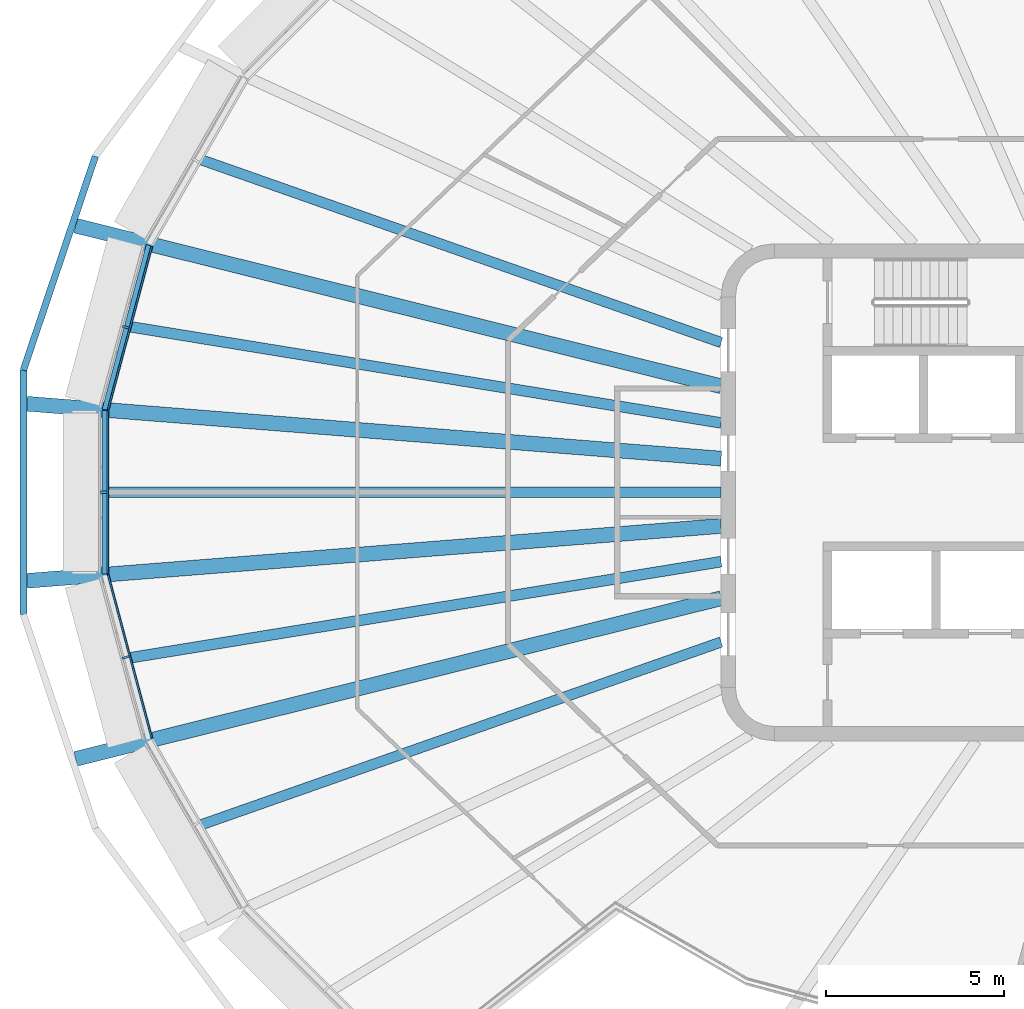
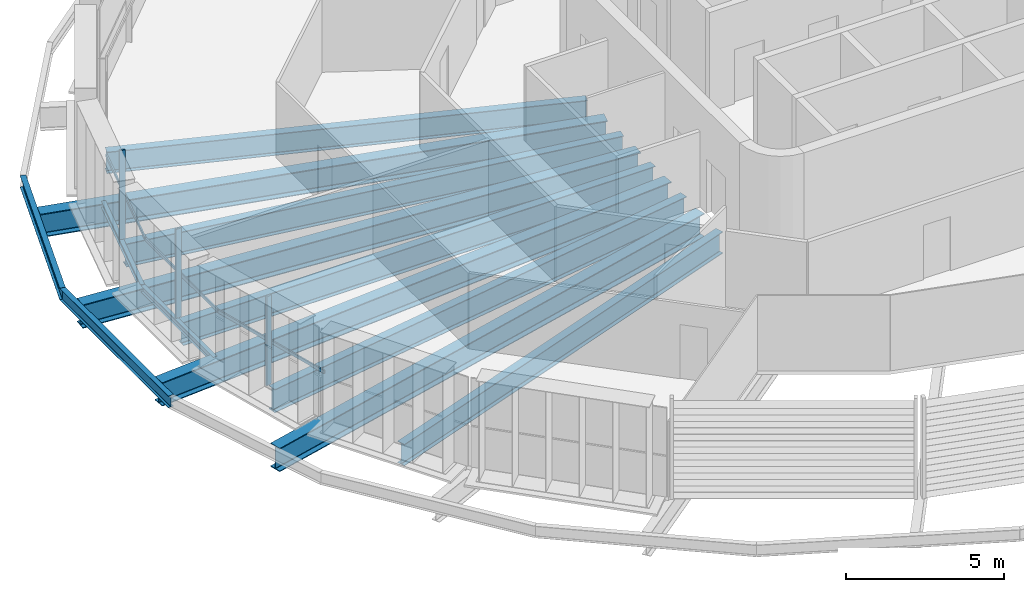
# One storey, part 3 of 19: 13 beams, 6 members, 3 elements without a shape of their own.
"""IFC4 building model written with IfcOpenShell, lengths in metres."""

from ifc_helpers import new_model, si_unit, direction, frame, origin, origin_2d, place, context, subcontext, project, spatial, rectangle, i_section, extrude, material, layer, layer_set, material_profile, profile_set, type_object, element, aggregate, save


model = new_model("IFC4")

# Units and contexts
model_context = context("Model", 3, precision=1e-05, world=origin(), true_north=direction((0.0, 1.0)))
body_context = subcontext(model_context, "Body", "Model", "MODEL_VIEW")
ifc_project = project(units=[si_unit("LENGTHUNIT", "METRE"), si_unit("AREAUNIT", "SQUARE_METRE"), si_unit("VOLUMEUNIT", "CUBIC_METRE"), si_unit("PLANEANGLEUNIT", "RADIAN"), si_unit("MASSUNIT", "GRAM", prefix="KILO")], contexts=[model_context])

# Site, building, storey
site_placement = place(None, origin())
site = spatial("IfcSite", under=ifc_project, at=site_placement, CompositionType="ELEMENT")
building_placement = place(site_placement, origin())
building = spatial("IfcBuilding", under=site, at=building_placement, Name="Sahrelin Media Tower", CompositionType="ELEMENT")
storey_placement = place(building_placement, frame((0.0, 0.0, 275.0)))
storey = spatial("IfcBuildingStorey", under=building, at=storey_placement, Name="L60", CompositionType="ELEMENT", Elevation=275.0)

# Beams
ifc_material_1 = material(Name="Steel S355", Category="steel")
ifc_material_profile_1 = material_profile(ifc_material_1, i_section(OverallWidth=0.14599609375, OverallDepth=0.25146484375, WebThickness=0.006103515625, FlangeThickness=0.008544921875, FilletRadius=0.007568359375, at=origin_2d()), Name="UB 254x146x31")
ifc_profile_set_1 = profile_set([ifc_material_profile_1], Name="Steel S355")
beam_type_1 = type_object("IfcBeamType", Name="Edge beam EB1", PredefinedType="BEAM", material=ifc_profile_set_1)
beam_1_placement = place(storey_placement, frame((-29.364013671875, -2.298583984375, -0.275634765625), z_axis=(0.0, 1.0, 0.0), x_axis=(-1.0, 0.0, 0.0)))
element("IfcBeam", 1, at=beam_1_placement, inside=storey, type_object=beam_type_1, Name="Edge beam L60-09", PredefinedType="BEAM", context=body_context, shape_type="SweptSolid", body=[
    extrude(i_section(OverallWidth=0.14599609375, OverallDepth=0.25146484375, WebThickness=0.006103515625, FlangeThickness=0.008544921875, FilletRadius=0.007568359375, at=origin_2d()), origin(), (0.0, 0.0, 1.0), 4.59716796875),
])
beam_2_placement = place(storey_placement, frame((-29.360107421875, 2.327392578125, -0.275634765625), z_axis=(0.258809906332, 0.965928274969, 0.0), x_axis=(-0.965928274969, 0.258809906332, 0.0)))
element("IfcBeam", 2, at=beam_2_placement, inside=storey, type_object=beam_type_1, Name="Edge beam L60-10", PredefinedType="BEAM", context=body_context, shape_type="SweptSolid", body=[
    extrude(i_section(OverallWidth=0.14599609375, OverallDepth=0.25146484375, WebThickness=0.006103515625, FlangeThickness=0.008544921875, FilletRadius=0.007568359375, at=origin_2d()), origin(), (0.0, 0.0, 1.0), 4.7939453125),
])

# Curtain wall, member
ifc_material_2 = material(Name="Champagne anodised aluminium 6063-T6", Category="aluminium")
ifc_layer = layer(ifc_material_2, 0.14990234375)
ifc_layer_set = layer_set([ifc_layer], Name="Tower ribbon curtain wall")
curtain_wall_type = type_object("IfcCurtainWallType", Name="Tower ribbon curtain wall", PredefinedType="NOTDEFINED", material=ifc_layer_set)
curtain_wall_1_placement = place(storey_placement, frame((-28.884765625, 4.681396484375, 0.0), z_axis=(0.0, 0.0, 1.0), x_axis=(1.0, 0.0, 0.0)))
curtain_wall_1 = element("IfcCurtainWall", 3, at=curtain_wall_1_placement, inside=storey, type_object=curtain_wall_type, Name="L60:CW:L60-11", PredefinedType="NOTDEFINED")
ifc_material_profile_2 = material_profile(ifc_material_2, rectangle(XDim=0.06005859375, YDim=0.199951171875, at=origin_2d()), Name="Mullion 60x200")
ifc_profile_set_2 = profile_set([ifc_material_profile_2], Name="Champagne anodised aluminium 6063-T6")
member_type_1 = type_object("IfcMemberType", Name="Mullion 60x200 CW1C", PredefinedType="MULLION", material=ifc_profile_set_2)
member_1_placement = place(storey_placement, frame((-28.768798828125, 4.650390625, 0.0), z_axis=(0.0, 0.0, 1.0), x_axis=(-0.258813987523, -0.965927181449, 0.0)))
member_1 = element("IfcMember", 4, at=member_1_placement, type_object=member_type_1, Name="L60:CWM:L60-11", PredefinedType="MULLION", context=body_context, shape_type="SweptSolid", body=[
    extrude(rectangle(XDim=0.06005859375, YDim=0.199951171875, at=origin_2d()), origin(), (0.0, 0.0, 1.0), 3.448486328125),
])

curtain_wall_2_placement = place(storey_placement, frame((-29.513916015625, 0.0, 0.0), z_axis=(0.0, 0.0, 1.0), x_axis=(1.0, 0.0, 0.0)))
curtain_wall_2 = element("IfcCurtainWall", 5, at=curtain_wall_2_placement, inside=storey, type_object=curtain_wall_type, Name="L60:CW:L60-12", PredefinedType="NOTDEFINED")
member_2_placement = place(storey_placement, frame((-29.39404296875, 0.0, 0.0), z_axis=(0.0, 0.0, 1.0), x_axis=(0.0, -1.0, 0.0)))
member_2 = element("IfcMember", 6, at=member_2_placement, type_object=member_type_1, Name="L60:CWM:L60-12", PredefinedType="MULLION", context=body_context, shape_type="SweptSolid", body=[
    extrude(rectangle(XDim=0.06005859375, YDim=0.199951171875, at=origin_2d()), origin(), (0.0, 0.0, 1.0), 3.448486328125),
])

curtain_wall_3_placement = place(storey_placement, frame((-28.884765625, -4.681396484375, 0.0), z_axis=(0.0, 0.0, 1.0), x_axis=(1.0, 0.0, 0.0)))
curtain_wall_3 = element("IfcCurtainWall", 7, at=curtain_wall_3_placement, inside=storey, type_object=curtain_wall_type, Name="L60:CW:L60-13", PredefinedType="NOTDEFINED")
member_3_placement = place(storey_placement, frame((-28.768798828125, -4.650390625, 0.0), z_axis=(0.0, 0.0, 1.0), x_axis=(0.258813987523, -0.965927181449, 0.0)))
member_3 = element("IfcMember", 8, at=member_3_placement, type_object=member_type_1, Name="L60:CWM:L60-13", PredefinedType="MULLION", context=body_context, shape_type="SweptSolid", body=[
    extrude(rectangle(XDim=0.06005859375, YDim=0.199951171875, at=origin_2d()), origin(), (0.0, 0.0, 1.0), 3.448486328125),
])

# Beams
ifc_material_profile_3 = material_profile(ifc_material_1, i_section(OverallWidth=0.41845703125, OverallDepth=0.911865234375, WebThickness=0.019287109375, FlangeThickness=0.031982421875, FilletRadius=0.024169921875, at=origin_2d()), Name="UB 914x419x343")
ifc_profile_set_3 = profile_set([ifc_material_profile_3], Name="Steel S355")
beam_type_2 = type_object("IfcBeamType", Name="Radial primary beam PB12", PredefinedType="BEAM", material=ifc_profile_set_3)
beam_3_placement = place(storey_placement, frame((-12.0, 2.985595703125, -0.60595703125), z_axis=(-0.970415551073, 0.241440796545, 0.0), x_axis=(-0.241440796545, -0.970415551073, 0.0)))
element("IfcBeam", 9, at=beam_3_placement, inside=storey, type_object=beam_type_2, Name="Radial beam L60-11", PredefinedType="BEAM", context=body_context, shape_type="SweptSolid", body=[
    extrude(i_section(OverallWidth=0.41845703125, OverallDepth=0.911865234375, WebThickness=0.019287109375, FlangeThickness=0.031982421875, FilletRadius=0.024169921875, at=origin_2d()), origin(), (0.0, 0.0, 1.0), 18.734130859375),
])
for number, where, z_axis, x_axis, name in (
    (10, (-12.0, 0.948486328125, -0.60595703125), (-0.996889791436, 0.078808271962, 0.0), (-0.078808271962, -0.996889791436, 0.0), "Radial beam L60-12"),
    (11, (-12.0, -0.948486328125, -0.60595703125), (-0.996889791436, -0.078808271962, 0.0), (0.078808271962, -0.996889791436, 0.0), "Radial beam L60-13"),
):
    element("IfcBeam", number, at=place(storey_placement, frame(where, z_axis=z_axis, x_axis=x_axis)), inside=storey, type_object=beam_type_2, Name=name, PredefinedType="BEAM", context=body_context, shape_type="SweptSolid", body=[
        extrude(i_section(OverallWidth=0.41845703125, OverallDepth=0.911865234375, WebThickness=0.019287109375, FlangeThickness=0.031982421875, FilletRadius=0.024169921875, at=origin_2d()), origin(), (0.0, 0.0, 1.0), 19.615966796875),
    ])
beam_4_placement = place(storey_placement, frame((-12.0, -2.985595703125, -0.60595703125), z_axis=(-0.970415551073, -0.241440796545, 0.0), x_axis=(0.241440796545, -0.970415551073, 0.0)))
element("IfcBeam", 12, at=beam_4_placement, inside=storey, type_object=beam_type_2, Name="Radial beam L60-14", PredefinedType="BEAM", context=body_context, shape_type="SweptSolid", body=[
    extrude(i_section(OverallWidth=0.41845703125, OverallDepth=0.911865234375, WebThickness=0.019287109375, FlangeThickness=0.031982421875, FilletRadius=0.024169921875, at=origin_2d()), origin(), (0.0, 0.0, 1.0), 18.734130859375),
])
ifc_material_profile_4 = material_profile(ifc_material_1, i_section(OverallWidth=0.291748046875, OverallDepth=0.8349609375, WebThickness=0.013916015625, FlangeThickness=0.018798828125, FilletRadius=0.017822265625, at=origin_2d()), Name="UB 838x292x176")
ifc_profile_set_4 = profile_set([ifc_material_profile_4], Name="Steel S355")
beam_type_3 = type_object("IfcBeamType", Name="Radial secondary beam SB10", PredefinedType="BEAM", material=ifc_profile_set_4)
for number, where, z_axis, x_axis, name in (
    (13, (-12.0, 4.218017578125, -0.5673828125), (-0.94341797598, 0.331605974914, 0.0), (-0.331605974914, -0.94341797598, 0.0), "Secondary beam L60-10"),
    (14, (-12.0, -4.218017578125, -0.5673828125), (-0.94341797598, -0.331605974914, 0.0), (0.331605974914, -0.94341797598, 0.0), "Secondary beam L60-14"),
):
    element("IfcBeam", number, at=place(storey_placement, frame(where, z_axis=z_axis, x_axis=x_axis)), inside=storey, type_object=beam_type_3, Name=name, PredefinedType="BEAM", context=body_context, shape_type="SweptSolid", body=[
        extrude(i_section(OverallWidth=0.291748046875, OverallDepth=0.8349609375, WebThickness=0.013916015625, FlangeThickness=0.018798828125, FilletRadius=0.017822265625, at=origin_2d()), origin(), (0.0, 0.0, 1.0), 15.517578125),
    ])
ifc_material_profile_5 = material_profile(ifc_material_1, i_section(OverallWidth=0.30322265625, OverallDepth=0.903076171875, WebThickness=0.01513671875, FlangeThickness=0.020263671875, FilletRadius=0.01904296875, at=origin_2d()), Name="UB 914x305x201")
ifc_profile_set_5 = profile_set([ifc_material_profile_5], Name="Steel S355")
beam_type_4 = type_object("IfcBeamType", Name="Radial secondary beam SB11", PredefinedType="BEAM", material=ifc_profile_set_5)
beam_5_placement = place(storey_placement, frame((-12.0, 1.953369140625, -0.6015625), z_axis=(-0.987008496952, 0.160668064481, 0.0), x_axis=(-0.160668064481, -0.987008496952, 0.0)))
element("IfcBeam", 15, at=beam_5_placement, inside=storey, type_object=beam_type_4, Name="Secondary beam L60-11", PredefinedType="BEAM", context=body_context, shape_type="SweptSolid", body=[
    extrude(i_section(OverallWidth=0.30322265625, OverallDepth=0.903076171875, WebThickness=0.01513671875, FlangeThickness=0.020263671875, FilletRadius=0.01904296875, at=origin_2d()), origin(), (0.0, 0.0, 1.0), 16.87744140625),
])
beam_6_placement = place(storey_placement, frame((-12.0, 0.0, -0.6015625), z_axis=(-1.0, 0.0, 0.0), x_axis=(0.0, -1.0, 0.0)))
element("IfcBeam", 16, at=beam_6_placement, inside=storey, type_object=beam_type_4, Name="Secondary beam L60-12", PredefinedType="BEAM", context=body_context, shape_type="SweptSolid", body=[
    extrude(i_section(OverallWidth=0.30322265625, OverallDepth=0.903076171875, WebThickness=0.01513671875, FlangeThickness=0.020263671875, FilletRadius=0.01904296875, at=origin_2d()), origin(), (0.0, 0.0, 1.0), 17.291015625),
])
beam_7_placement = place(storey_placement, frame((-12.0, -1.953369140625, -0.6015625), z_axis=(-0.987008496952, -0.160668064481, 0.0), x_axis=(0.160668064481, -0.987008496952, 0.0)))
element("IfcBeam", 17, at=beam_7_placement, inside=storey, type_object=beam_type_4, Name="Secondary beam L60-13", PredefinedType="BEAM", context=body_context, shape_type="SweptSolid", body=[
    extrude(i_section(OverallWidth=0.30322265625, OverallDepth=0.903076171875, WebThickness=0.01513671875, FlangeThickness=0.020263671875, FilletRadius=0.01904296875, at=origin_2d()), origin(), (0.0, 0.0, 1.0), 16.87744140625),
])
ifc_material_profile_6 = material_profile(ifc_material_1, i_section(OverallWidth=0.1904296875, OverallDepth=0.45703125, WebThickness=0.009033203125, FlangeThickness=0.014404296875, FilletRadius=0.01025390625, at=origin_2d()), Name="UB 457x191x74")
ifc_profile_set_6 = profile_set([ifc_material_profile_6], Name="Steel S355")
beam_type_5 = type_object("IfcBeamType", Name="Tie chord TC5", PredefinedType="BEAM", material=ifc_profile_set_6)
beam_8_placement = place(storey_placement, frame((-29.623291015625, 9.4619140625, -0.37841796875), z_axis=(-0.318923237503, -0.947780548745, 0.0), x_axis=(0.947780548745, -0.318923237503, 0.0)))
element("IfcBeam", 18, at=beam_8_placement, inside=storey, type_object=beam_type_5, Name="Tie chord L60-11", PredefinedType="BEAM", context=body_context, shape_type="SweptSolid", body=[
    extrude(i_section(OverallWidth=0.1904296875, OverallDepth=0.45703125, WebThickness=0.009033203125, FlangeThickness=0.014404296875, FilletRadius=0.01025390625, at=origin_2d()), origin(), (0.0, 0.0, 1.0), 6.355224609375),
])
beam_9_placement = place(storey_placement, frame((-31.650146484375, 3.4384765625, -0.37841796875), z_axis=(0.0, -1.0, 0.0), x_axis=(1.0, 0.0, 0.0)))
element("IfcBeam", 19, at=beam_9_placement, inside=storey, type_object=beam_type_5, Name="Tie chord L60-12", PredefinedType="BEAM", context=body_context, shape_type="SweptSolid", body=[
    extrude(i_section(OverallWidth=0.1904296875, OverallDepth=0.45703125, WebThickness=0.009033203125, FlangeThickness=0.014404296875, FilletRadius=0.01025390625, at=origin_2d()), origin(), (0.0, 0.0, 1.0), 6.876953125),
])

# Member
ifc_material_profile_7 = material_profile(ifc_material_2, rectangle(XDim=0.050048828125, YDim=0.1201171875, at=origin_2d()), Name="Transom 50x120")
ifc_profile_set_7 = profile_set([ifc_material_profile_7], Name="Champagne anodised aluminium 6063-T6")
member_type_2 = type_object("IfcMemberType", Name="Transom 50x120 CW1C", PredefinedType="USERDEFINED", material=ifc_profile_set_7)
member_4_placement = place(storey_placement, frame((-28.03173828125, 6.918212890625, 1.60009765625), z_axis=(-0.258820640976, -0.965925398675, 0.0), x_axis=(0.965925398675, -0.258820640976, 0.0)))
member_4 = element("IfcMember", 20, at=member_4_placement, type_object=member_type_2, Name="L60:CWT:L60-11", ObjectType="TRANSOM", PredefinedType="USERDEFINED", context=body_context, shape_type="SweptSolid", body=[
    extrude(rectangle(XDim=0.050048828125, YDim=0.1201171875, at=origin_2d()), origin(), (0.0, 0.0, 1.0), 4.7626953125),
])

aggregate(curtain_wall_1, [member_1, member_4])

member_5_placement = place(storey_placement, frame((-29.26904296875, 2.282958984375, 1.60009765625), z_axis=(0.0, -1.0, 0.0), x_axis=(1.0, 0.0, 0.0)))
member_5 = element("IfcMember", 21, at=member_5_placement, type_object=member_type_2, Name="L60:CWT:L60-12", ObjectType="TRANSOM", PredefinedType="USERDEFINED", context=body_context, shape_type="SweptSolid", body=[
    extrude(rectangle(XDim=0.050048828125, YDim=0.1201171875, at=origin_2d()), origin(), (0.0, 0.0, 1.0), 4.56591796875),
])

aggregate(curtain_wall_2, [member_2, member_5])

member_6_placement = place(storey_placement, frame((-29.264404296875, -2.31787109375, 1.60009765625), z_axis=(0.258820640976, -0.965925398675, 0.0), x_axis=(0.965925398675, 0.258820640976, 0.0)))
member_6 = element("IfcMember", 22, at=member_6_placement, type_object=member_type_2, Name="L60:CWT:L60-13", ObjectType="TRANSOM", PredefinedType="USERDEFINED", context=body_context, shape_type="SweptSolid", body=[
    extrude(rectangle(XDim=0.050048828125, YDim=0.1201171875, at=origin_2d()), origin(), (0.0, 0.0, 1.0), 4.7626953125),
])

aggregate(curtain_wall_3, [member_3, member_6])

save(model, "model.ifc")
